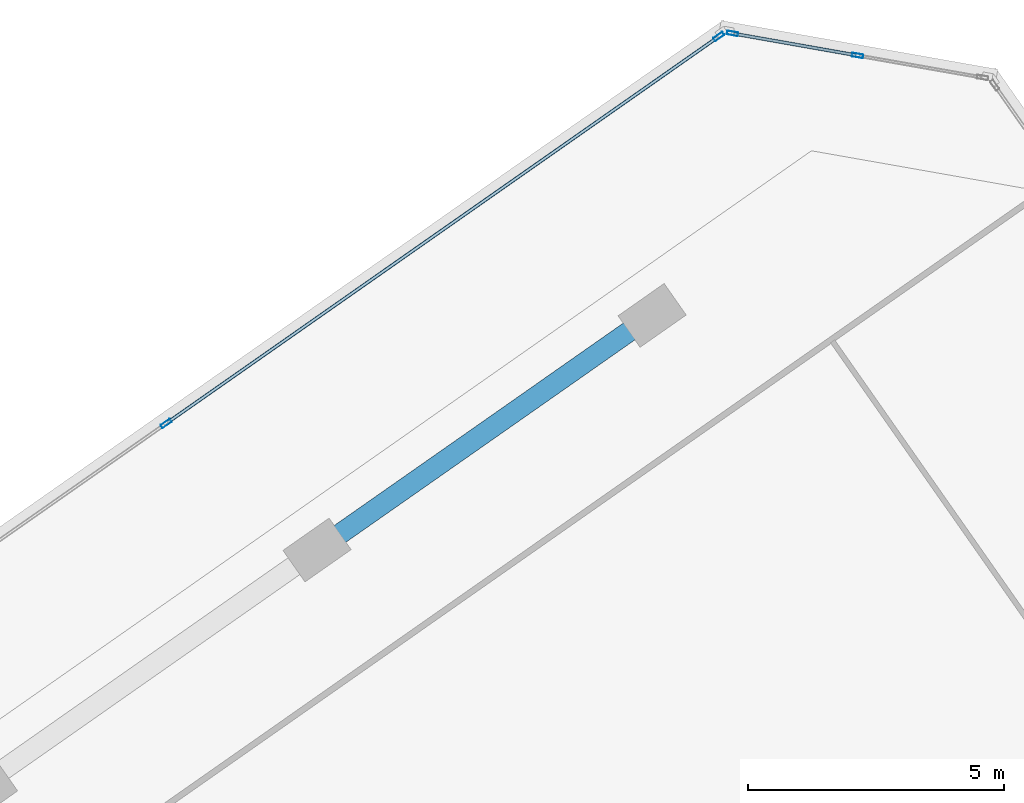
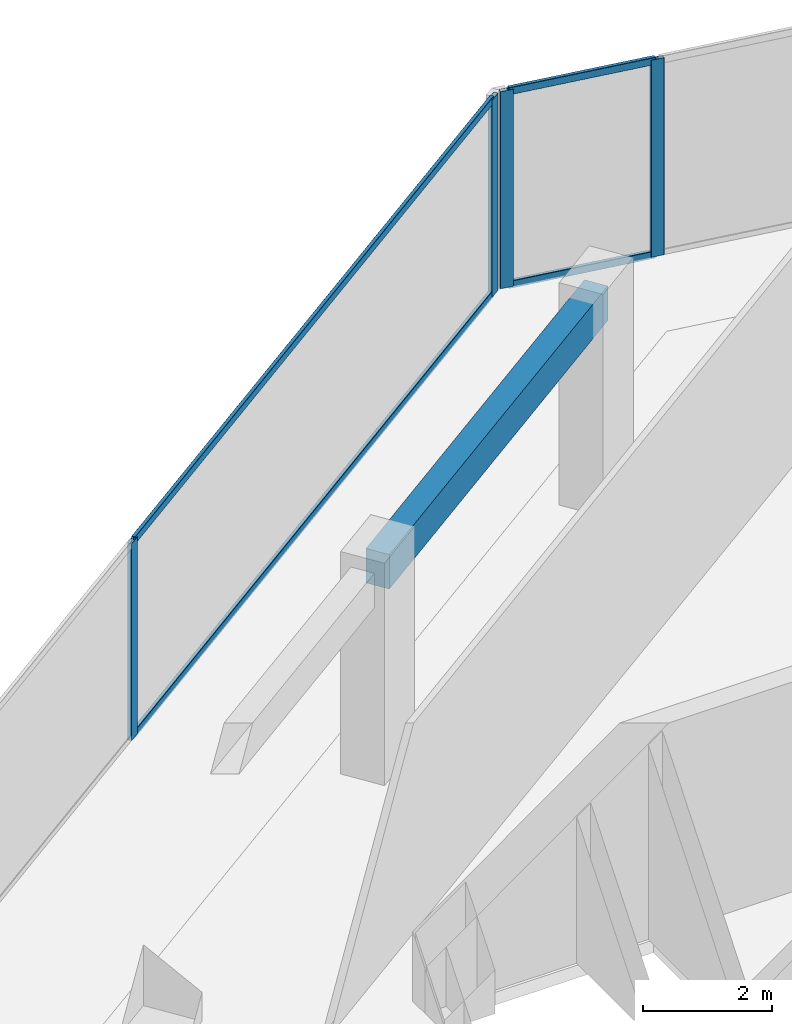
# One storey, part 9 of 17: 8 members, 1 beam, 2 elements without a shape of their own.
"""IFC4 building model written with IfcOpenShell, lengths in metres."""

from ifc_helpers import new_model, si_unit, direction, frame, origin, origin_2d, place, context, subcontext, project, spatial, rectangle, hollow_rectangle, extrude, source, transform, mapped, material, material_profile, profile_set, type_object, element, aggregate, save


model = new_model("IFC4")

# Units and contexts
model_context = context("Model", 3, precision=1e-05, world=origin(), true_north=direction((0.0, 1.0)))
body_context = subcontext(model_context, "Body", "Model", "MODEL_VIEW")
ifc_project = project(units=[si_unit("LENGTHUNIT", "METRE"), si_unit("AREAUNIT", "SQUARE_METRE"), si_unit("VOLUMEUNIT", "CUBIC_METRE"), si_unit("PLANEANGLEUNIT", "RADIAN"), si_unit("MASSUNIT", "GRAM", prefix="KILO")], contexts=[model_context])

# Site, building, storey
site_placement = place(None, origin())
site = spatial("IfcSite", under=ifc_project, at=site_placement, CompositionType="ELEMENT")
building_placement = place(site_placement, origin())
building = spatial("IfcBuilding", under=site, at=building_placement, Name="Torre Montelarca", CompositionType="ELEMENT")
storey_placement = place(building_placement, frame((0.0, 0.0, 298.800048828125)))
storey = spatial("IfcBuildingStorey", under=building, at=storey_placement, Name="L67", CompositionType="ELEMENT", Elevation=298.800048828125)

# Beam
ifc_material_1 = material(Name="Concrete C40/50", Category="concrete")
ifc_material_profile_1 = material_profile(ifc_material_1, rectangle(XDim=0.39990234375, YDim=0.64990234375, at=origin_2d()), Name="RCB400X650", Category="concrete")
ifc_profile_set_1 = profile_set([ifc_material_profile_1], Name="Concrete C40/50")
beam_type = type_object("IfcBeamType", Name="BM-SP-RC650-EXT", PredefinedType="SPANDREL", material=ifc_profile_set_1)
shared_shape_1 = source(origin(), body_context, "Body", "SweptSolid", [
    extrude(rectangle(XDim=0.39990234375, YDim=0.64990234375, at=origin_2d()), origin(), (0.0, 0.0, 1.0), 8.0),
])
beam_placement = place(storey_placement, frame((11.835205078125, 45.802734375, 3.635009765625), z_axis=(0.819151624752, 0.573577035512, 0.0), x_axis=(-0.573577035512, 0.819151624752, 0.0)))
element("IfcBeam", 1, at=beam_placement, inside=storey, type_object=beam_type, Name="L67 Grid Girder Y 32.0-40.0 at X=4.7", PredefinedType="SPANDREL", context=body_context, shape_type="MappedRepresentation", body=[
    mapped(shared_shape_1, transform((0.0, 0.0, 0.0), scale=1.0)),
])

# Curtain wall, members
ifc_material_2 = material(Name="Insulated low-E laminated glass", Category="glass")
curtain_wall_type = type_object("IfcCurtainWallType", Name="CW-SYS-Z4", PredefinedType="USERDEFINED", material=ifc_material_2)
curtain_wall_1_placement = place(storey_placement, origin())
curtain_wall_1 = element("IfcCurtainWall", 2, at=curtain_wall_1_placement, inside=storey, type_object=curtain_wall_type, Name="L67 Curtain Wall Run CW-T3-L67-E09-B1", ObjectType="UNITISED GLAZING", PredefinedType="USERDEFINED")
ifc_material_3 = material(Name="Anodised aluminium AA 6063-T6", Category="aluminium")
ifc_material_profile_2 = material_profile(ifc_material_3, hollow_rectangle(XDim=0.074951171875, YDim=0.219970703125, WallThickness=0.0048828125, InnerFilletRadius=0.0048828125, OuterFilletRadius=0.010009765625, at=origin_2d()), Name="ALU75X220X5", Category="aluminium")
ifc_profile_set_2 = profile_set([ifc_material_profile_2], Name="Anodised aluminium AA 6063-T6")
member_type_1 = type_object("IfcMemberType", Name="CWM-ALU220", PredefinedType="MULLION", material=ifc_profile_set_2)
shared_shape_2 = source(origin(), body_context, "Body", "SweptSolid", [
    extrude(hollow_rectangle(XDim=0.074951171875, YDim=0.219970703125, WallThickness=0.0048828125, InnerFilletRadius=0.0048828125, OuterFilletRadius=0.010009765625, at=origin_2d()), origin(), (0.0, 0.0, 1.0), 3.719970703125),
])
member_1_placement = place(storey_placement, frame((22.408203125, 55.47412109375, 0.0), z_axis=(0.0, 0.0, 1.0), x_axis=(-0.173634856638, -0.984810101776, 0.0)))
member_1 = element("IfcMember", 3, at=member_1_placement, type_object=member_type_1, Name="CW mullion 2", PredefinedType="MULLION", context=body_context, shape_type="MappedRepresentation", body=[
    mapped(shared_shape_2, transform((0.0, 0.0, 0.0), scale=1.0)),
])
member_2_placement = place(storey_placement, frame((19.962158203125, 55.9052734375, 0.0), z_axis=(0.0, 0.0, 1.0), x_axis=(-0.173634856638, -0.984810101776, 0.0)))
member_2 = element("IfcMember", 4, at=member_2_placement, type_object=member_type_1, Name="CW mullion 3", PredefinedType="MULLION", context=body_context, shape_type="MappedRepresentation", body=[
    mapped(shared_shape_2, transform((0.0, 0.0, 0.0), scale=1.0)),
])

curtain_wall_2_placement = place(storey_placement, origin())
curtain_wall_2 = element("IfcCurtainWall", 5, at=curtain_wall_2_placement, inside=storey, type_object=curtain_wall_type, Name="L67 Curtain Wall Run CW-T3-L67-E10-B1", ObjectType="UNITISED GLAZING", PredefinedType="USERDEFINED")
member_3_placement = place(storey_placement, frame((19.692626953125, 55.845703125, 0.0), z_axis=(0.0, 0.0, 1.0), x_axis=(0.57357162512, -0.819155413128, 0.0)))
member_3 = element("IfcMember", 6, at=member_3_placement, type_object=member_type_1, Name="CW mullion 1", PredefinedType="MULLION", context=body_context, shape_type="MappedRepresentation", body=[
    mapped(shared_shape_2, transform((0.0, 0.0, 0.0), scale=1.0)),
])
member_4_placement = place(storey_placement, frame((8.882568359375, 48.2763671875, 0.0), z_axis=(0.0, 0.0, 1.0), x_axis=(0.57357162512, -0.819155413128, 0.0)))
member_4 = element("IfcMember", 7, at=member_4_placement, type_object=member_type_1, Name="CW mullion 2", PredefinedType="MULLION", context=body_context, shape_type="MappedRepresentation", body=[
    mapped(shared_shape_2, transform((0.0, 0.0, 0.0), scale=1.0)),
])

# Member
ifc_material_profile_3 = material_profile(ifc_material_3, hollow_rectangle(XDim=0.06494140625, YDim=0.139892578125, WallThickness=0.00390625, InnerFilletRadius=0.00390625, OuterFilletRadius=0.008056640625, at=origin_2d()), Name="ALU65X140X4", Category="aluminium")
ifc_profile_set_3 = profile_set([ifc_material_profile_3], Name="Anodised aluminium AA 6063-T6")
member_type_2 = type_object("IfcMemberType", Name="CWT-ALU140", PredefinedType="USERDEFINED", material=ifc_profile_set_3)
shared_shape_3 = source(origin(), body_context, "Body", "SweptSolid", [
    extrude(hollow_rectangle(XDim=0.06494140625, YDim=0.139892578125, WallThickness=0.00390625, InnerFilletRadius=0.00390625, OuterFilletRadius=0.008056640625, at=origin_2d()), origin(), (0.0, 0.0, 1.0), 2.408447265625),
])
member_5_placement = place(storey_placement, frame((22.37109375, 55.480712890625, 0.032470703125), z_axis=(-0.984808041081, 0.173646543939, 0.0), x_axis=(-0.173646543939, -0.984808041081, 0.0)))
member_5 = element("IfcMember", 8, at=member_5_placement, type_object=member_type_2, Name="CW transom 2.1", ObjectType="TRANSOM", PredefinedType="USERDEFINED", context=body_context, shape_type="MappedRepresentation", body=[
    mapped(shared_shape_3, transform((0.0, 0.0, 0.0), scale=1.0)),
])

member_6_placement = place(storey_placement, frame((22.37109375, 55.480712890625, 3.6875), z_axis=(-0.984808041081, 0.173646543939, 0.0), x_axis=(-0.173646543939, -0.984808041081, 0.0)))
member_6 = element("IfcMember", 9, at=member_6_placement, type_object=member_type_2, Name="CW transom 2.2", ObjectType="TRANSOM", PredefinedType="USERDEFINED", context=body_context, shape_type="MappedRepresentation", body=[
    mapped(shared_shape_3, transform((0.0, 0.0, 0.0), scale=1.0)),
])

aggregate(curtain_wall_1, [member_1, member_2, member_5, member_6])

shared_shape_4 = source(origin(), body_context, "Body", "SweptSolid", [
    extrude(hollow_rectangle(XDim=0.06494140625, YDim=0.139892578125, WallThickness=0.00390625, InnerFilletRadius=0.00390625, OuterFilletRadius=0.008056640625, at=origin_2d()), origin(), (0.0, 0.0, 1.0), 13.12158203125),
])
member_7_placement = place(storey_placement, frame((19.661865234375, 55.823974609375, 0.032470703125), z_axis=(-0.819161112031, -0.573563486056, 0.0), x_axis=(0.573563486056, -0.819161112031, 0.0)))
member_7 = element("IfcMember", 10, at=member_7_placement, type_object=member_type_2, Name="CW transom 1.1", ObjectType="TRANSOM", PredefinedType="USERDEFINED", context=body_context, shape_type="MappedRepresentation", body=[
    mapped(shared_shape_4, transform((0.0, 0.0, 0.0), scale=1.0)),
])

member_8_placement = place(storey_placement, frame((19.661865234375, 55.823974609375, 3.6875), z_axis=(-0.819161112031, -0.573563486056, 0.0), x_axis=(0.573563486056, -0.819161112031, 0.0)))
member_8 = element("IfcMember", 11, at=member_8_placement, type_object=member_type_2, Name="CW transom 1.2", ObjectType="TRANSOM", PredefinedType="USERDEFINED", context=body_context, shape_type="MappedRepresentation", body=[
    mapped(shared_shape_4, transform((0.0, 0.0, 0.0), scale=1.0)),
])

aggregate(curtain_wall_2, [member_3, member_4, member_7, member_8])

save(model, "model.ifc")
